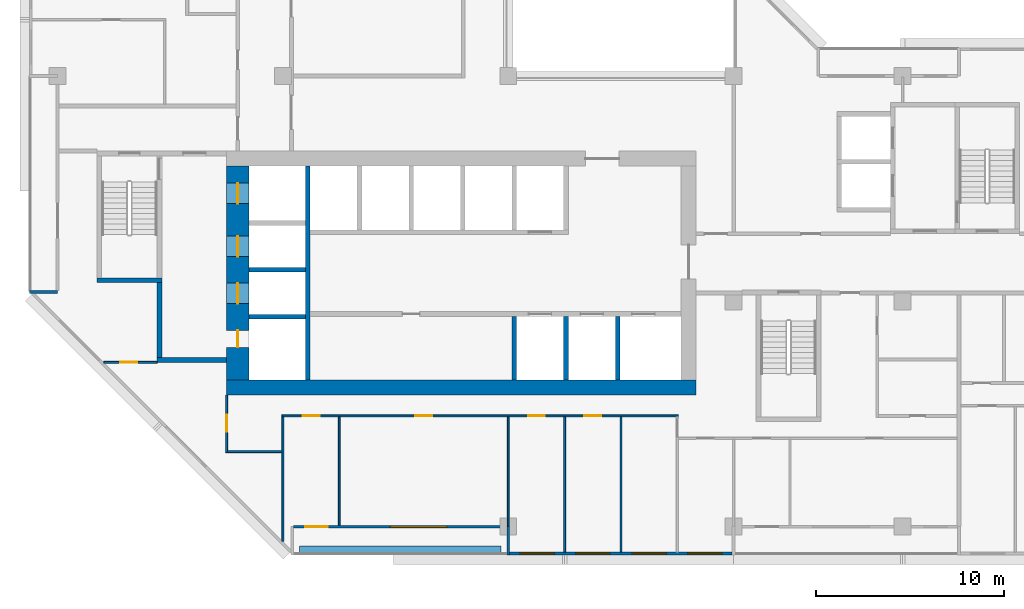
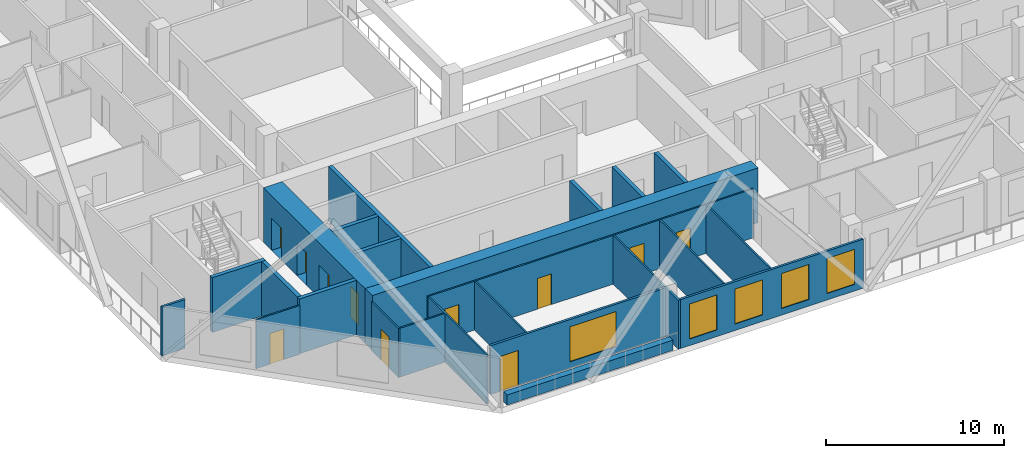
# One storey, part 4 of 15: 25 walls, 11 doors, 5 windows, 16 openings.
"""IFC4 building model written with IfcOpenShell, lengths in metres."""

import ifcopenshell
import ifcopenshell.guid

model = None  # the IFC model being written
_history = None  # IfcOwnerHistory: only IFC2X3 demands one
_inside = {}  # id of a spatial element -> (the spatial element, [elements in it])
_under = {}  # id of a project, library or spatial element -> (it, [spatial elements below it])
_declared = {}  # id of a project -> (the project, [libraries it declares])
_typed = {}  # id of a type object -> (the type object, [elements of that type])
_made_of = {}  # id of a material, layer set ... -> (it, [elements and type objects made of it])


def new_model(schema):
    """Start an empty IFC model of exactly this schema.

    Asked for "IFC4X3", IfcOpenShell would pick the latest addendum, in which some entities
    have other attributes; the version numbers below select the first issue.
    IFC2X3 requires an IfcOwnerHistory on every rooted entity: one is made here for all.
    """
    global model, _history
    if schema == "IFC4X3":
        model = ifcopenshell.file(schema_version=(4, 3, 0, 0))
    else:
        model = ifcopenshell.file(schema=schema)
    _inside.clear()
    _under.clear()
    _declared.clear()
    _typed.clear()
    _made_of.clear()
    _history = None
    if model.schema == "IFC2X3":
        org = make("IfcOrganization", Name="unknown")
        user = make(
            "IfcPersonAndOrganization",
            ThePerson=make("IfcPerson", FamilyName="unknown"),
            TheOrganization=org,
        )
        app = make(
            "IfcApplication",
            ApplicationDeveloper=org,
            Version="unknown",
            ApplicationFullName="unknown",
            ApplicationIdentifier="unknown",
        )
        _history = make(
            "IfcOwnerHistory",
            OwningUser=user,
            OwningApplication=app,
            ChangeAction="ADDED",
            CreationDate=0,
        )
    return model


def make(cls, **values):
    """One entity of the class cls with the attributes given. An attribute that is None is left unset."""
    return model.create_entity(
        cls, **{name: value for name, value in values.items() if value is not None}
    )


def rooted(cls, **values):
    """An entity with a GlobalId (a new one), such as an element, a storey or a relation."""
    return make(cls, GlobalId=ifcopenshell.guid.new(), OwnerHistory=_history, **values)


def si_unit(unit_type, name, prefix=None):
    """IfcSIUnit, for example si_unit("LENGTHUNIT", "METRE", prefix="MILLI")."""
    return make("IfcSIUnit", UnitType=unit_type, Prefix=prefix, Name=name)


def assignment(units):
    """IfcUnitAssignment: the units of a project."""
    return None if units is None else make("IfcUnitAssignment", Units=units)


def point(xyz):
    """IfcCartesianPoint."""
    return None if xyz is None else make("IfcCartesianPoint", Coordinates=xyz)


def direction(xyz):
    """IfcDirection."""
    return None if xyz is None else make("IfcDirection", DirectionRatios=xyz)


def frame(location, z_axis=None, x_axis=None):
    """IfcAxis2Placement3D, a coordinate frame: its origin and axes. An axis left out is left unset."""
    return make(
        "IfcAxis2Placement3D",
        Location=point(location),
        Axis=direction(z_axis),
        RefDirection=direction(x_axis),
    )


def frame_2d(location, x_axis=None):
    """IfcAxis2Placement2D, a coordinate frame in the plane: its origin and x axis."""
    return make(
        "IfcAxis2Placement2D", Location=point(location), RefDirection=direction(x_axis)
    )


def origin():
    """The frame at (0, 0, 0) with its axes left unset."""
    return frame((0.0, 0.0, 0.0))


def place(relative_to, where):
    """IfcLocalPlacement: puts the frame where relative to a parent placement (None: the world)."""
    return make(
        "IfcLocalPlacement", PlacementRelTo=relative_to, RelativePlacement=where
    )


def context(
    kind, dimensions, precision=None, world=None, true_north=None, identifier=None
):
    """IfcGeometricRepresentationContext, for example the 3D "Model" context."""
    return make(
        "IfcGeometricRepresentationContext",
        ContextIdentifier=identifier,
        ContextType=kind,
        CoordinateSpaceDimension=dimensions,
        Precision=precision,
        WorldCoordinateSystem=world,
        TrueNorth=true_north,
    )


def subcontext(parent, identifier, kind, view, scale=None):
    """IfcGeometricRepresentationSubContext, for example "Body" below "Model"."""
    return make(
        "IfcGeometricRepresentationSubContext",
        ContextIdentifier=identifier,
        ContextType=kind,
        ParentContext=parent,
        TargetScale=scale,
        TargetView=view,
    )


def project(units=None, contexts=None):
    """IfcProject with its units and contexts."""
    return rooted(
        "IfcProject",
        Name="project",
        RepresentationContexts=contexts,
        UnitsInContext=assignment(units),
    )


def spatial(cls, under=None, at=None, **own):
    """A site, building, storey or space (cls), placed at a placement, below another one or the project."""
    s = rooted(cls, ObjectPlacement=at, **own)
    if under is not None:
        _under.setdefault(under.id(), (under, []))[1].append(s)
    return s


def profile(cls, at=None, kind="AREA", **sizes):
    """A parametric profile (cls). Its sizes go by their IFC names, for example OverallWidth=200.0."""
    return make(cls, ProfileType=kind, Position=at, **sizes)


def rectangle(**sizes):
    """IfcRectangleProfileDef."""
    return profile("IfcRectangleProfileDef", **sizes)


def extrude(swept, where, along, depth):
    """IfcExtrudedAreaSolid: the profile swept, set in the frame where, extruded along a direction by depth."""
    return make(
        "IfcExtrudedAreaSolid",
        SweptArea=swept,
        Position=where,
        ExtrudedDirection=direction(along),
        Depth=depth,
    )


def shape(context_of_items, identifier, shape_type, items):
    """IfcShapeRepresentation: the items that make up one representation, for example the "Body"."""
    return make(
        "IfcShapeRepresentation",
        ContextOfItems=context_of_items,
        RepresentationIdentifier=identifier,
        RepresentationType=shape_type,
        Items=items,
    )


def material(Name=None, Category=None):
    """IfcMaterial."""
    return make("IfcMaterial", Name=Name, Category=Category)


def layer(
    of_material, thickness, ventilated=None, Name=None, Category=None, Priority=None
):
    """IfcMaterialLayer: one layer of a wall or slab, of a material (None: an air gap)."""
    return make(
        "IfcMaterialLayer",
        Material=of_material,
        LayerThickness=thickness,
        IsVentilated=ventilated,
        Name=Name,
        Category=Category,
        Priority=Priority,
    )


def layer_set(layers, Name=None):
    """IfcMaterialLayerSet."""
    return make("IfcMaterialLayerSet", MaterialLayers=layers, LayerSetName=Name)


def made_of(thing, what):
    """Note that an element or type object is made of a material, layer set ...; save() writes the relation."""
    if what is not None:
        _made_of.setdefault(what.id(), (what, []))[1].append(thing)
    return thing


def type_object(cls, material=None, **own):
    """A type object (cls), such as IfcWallType, which elements share."""
    return made_of(rooted(cls, **own), material)


def element(
    cls,
    number,
    at=None,
    inside=None,
    cuts=None,
    type_object=None,
    material=None,
    context=None,
    identifier="Body",
    shape_type=None,
    held_by="IfcProductDefinitionShape",
    body=None,
    shapes=None,
    **own,
):
    """One element of the class cls, such as IfcWall. Its Tag is "e" and its number.

    at: its placement. inside: the storey or other place that contains it. cuts: it is an
    opening in that element (IfcRelVoidsElement). A single representation is given by context,
    identifier, shape_type and body (its items); several are given by shapes. held_by: the class
    of the entity that holds the representations. save() writes the other relations.
    """
    e = rooted(cls, Tag="e%d" % number, ObjectPlacement=at, **own)
    if body is not None:
        shapes = [shape(context, identifier, shape_type, body)]
    if shapes is not None:
        e.Representation = make(held_by, Representations=shapes)
    if inside is not None:
        _inside.setdefault(inside.id(), (inside, []))[1].append(e)
    if cuts is not None:
        rooted(
            "IfcRelVoidsElement", RelatingBuildingElement=cuts, RelatedOpeningElement=e
        )
    if type_object is not None:
        _typed.setdefault(type_object.id(), (type_object, []))[1].append(e)
    return made_of(e, material)


def fill(opening, filler):
    """IfcRelFillsElement: the door or window that sits in an opening."""
    return rooted(
        "IfcRelFillsElement",
        RelatingOpeningElement=opening,
        RelatedBuildingElement=filler,
    )


def aggregate(whole, parts):
    """IfcRelAggregates: a whole, such as a stair, and the parts it consists of."""
    return rooted("IfcRelAggregates", RelatingObject=whole, RelatedObjects=parts)


def save(model, path):
    """Write the relations noted so far, then the file.

    IfcRelAggregates (storeys below a building ...), IfcRelContainedInSpatialStructure (elements
    in a storey), IfcRelDefinesByType, IfcRelAssociatesMaterial and IfcRelDeclares: one each for
    every whole, place, type object, material and project.
    """
    for whole, parts in _under.values():
        aggregate(whole, parts)
    for where, things in _inside.values():
        rooted(
            "IfcRelContainedInSpatialStructure",
            RelatedElements=things,
            RelatingStructure=where,
        )
    for kind, things in _typed.values():
        rooted("IfcRelDefinesByType", RelatedObjects=things, RelatingType=kind)
    for what, things in _made_of.values():
        rooted("IfcRelAssociatesMaterial", RelatedObjects=things, RelatingMaterial=what)
    for by, libraries in _declared.values():
        rooted("IfcRelDeclares", RelatingContext=by, RelatedDefinitions=libraries)
    model.write(path)


model = new_model("IFC4")

# Units and contexts
model_context = context("Model", 3, precision=1e-05, world=origin(), true_north=direction((0.0, 1.0)))
body_context = subcontext(model_context, "Body", "Model", "MODEL_VIEW")
ifc_project = project(units=[si_unit("LENGTHUNIT", "METRE"), si_unit("AREAUNIT", "SQUARE_METRE"), si_unit("VOLUMEUNIT", "CUBIC_METRE"), si_unit("PLANEANGLEUNIT", "RADIAN"), si_unit("MASSUNIT", "GRAM", prefix="KILO")], contexts=[model_context])

# Site, building, storey
site_placement = place(None, origin())
site = spatial("IfcSite", under=ifc_project, at=site_placement, CompositionType="ELEMENT")
building_placement = place(site_placement, origin())
building = spatial("IfcBuilding", under=site, at=building_placement, Name="Chenar Terraces", CompositionType="ELEMENT")
storey_placement = place(building_placement, frame((0.0, 0.0, 194.89990234375)))
storey = spatial("IfcBuildingStorey", under=building, at=storey_placement, Name="L45", CompositionType="ELEMENT", Elevation=194.89990234375)

# Wall, openings, doors
ifc_material_1 = material(Name="Concrete C60/75", Category="concrete")
ifc_layer_1 = layer(ifc_material_1, 1.199951171875)
ifc_layer_set_1 = layer_set([ifc_layer_1], Name="Concrete C60/75")
wall_type_1 = type_object("IfcWallType", Name="Core wall 1200 Concrete C60/75", PredefinedType="SHEAR", material=ifc_layer_set_1)
wall_1_placement = place(storey_placement, frame((9.60009765625, 7.800048828125, 0.0), z_axis=(0.0, 0.0, 1.0), x_axis=(0.0, 1.0, 0.0)))
wall_1 = element("IfcWall", 1, at=wall_1_placement, inside=storey, type_object=wall_type_1, Name="Core wall W L45", PredefinedType="SHEAR", context=body_context, shape_type="SweptSolid", body=[
    extrude(rectangle(XDim=11.39990234375, YDim=1.199951171875, at=frame_2d((5.699951171875, 0.0))), origin(), (0.0, 0.0, 1.0), 3.75),
])
opening_1_placement = place(wall_1_placement, frame((4.074951171875, 0.0, 0.0)))
opening_1 = element("IfcOpeningElement", 2, at=opening_1_placement, cuts=wall_1, Name="Opening DL45-LD5", PredefinedType="OPENING", context=body_context, shape_type="SweptSolid", body=[
    extrude(rectangle(XDim=1.10009765625, YDim=2.199951171875, at=frame_2d((0.550048828125, 1.10009765625))), frame((0.0, 0.60986328125, 0.0), z_axis=(0.0, -1.0, 0.0), x_axis=(1.0, 0.0, 0.0)), (0.0, 0.0, 1.0), 1.219970703125),
])
opening_2_placement = place(wall_1_placement, frame((6.574951171875, 0.0, 0.0)))
opening_2 = element("IfcOpeningElement", 3, at=opening_2_placement, cuts=wall_1, Name="Opening DL45-LD6", PredefinedType="OPENING", context=body_context, shape_type="SweptSolid", body=[
    extrude(rectangle(XDim=1.10009765625, YDim=2.199951171875, at=frame_2d((0.550048828125, 1.10009765625))), frame((0.0, 0.60986328125, 0.0), z_axis=(0.0, -1.0, 0.0), x_axis=(1.0, 0.0, 0.0)), (0.0, 0.0, 1.0), 1.219970703125),
])
opening_3_placement = place(wall_1_placement, frame((9.39990234375, 0.0, 0.0)))
opening_3 = element("IfcOpeningElement", 4, at=opening_3_placement, cuts=wall_1, Name="Opening DL45-LD7", PredefinedType="OPENING", context=body_context, shape_type="SweptSolid", body=[
    extrude(rectangle(XDim=1.10009765625, YDim=2.199951171875, at=frame_2d((0.550048828125, 1.10009765625))), frame((0.0, 0.60986328125, 0.0), z_axis=(0.0, -1.0, 0.0), x_axis=(1.0, 0.0, 0.0)), (0.0, 0.0, 1.0), 1.219970703125),
])
opening_4_placement = place(wall_1_placement, frame((1.75, 0.0, 0.0)))
opening_4 = element("IfcOpeningElement", 5, at=opening_4_placement, cuts=wall_1, Name="Opening DL45-C4", PredefinedType="OPENING", context=body_context, shape_type="SweptSolid", body=[
    extrude(rectangle(XDim=0.89990234375, YDim=2.10009765625, at=frame_2d((0.449951171875, 1.050048828125))), frame((0.0, 0.60986328125, 0.0), z_axis=(0.0, -1.0, 0.0), x_axis=(1.0, 0.0, 0.0)), (0.0, 0.0, 1.0), 1.219970703125),
])
ifc_material_2 = material(Name="Stainless steel", Category="steel")
door_type_1 = type_object("IfcDoorType", Name="Lift landing door 1100 x 2200 sliding", OperationType="DOUBLE_DOOR_SLIDING", PredefinedType="DOOR", material=ifc_material_2)
door_1_placement = place(opening_1_placement, origin())
door_1 = element("IfcDoor", 6, at=door_1_placement, inside=storey, type_object=door_type_1, Name="Landing door S1", OperationType="DOUBLE_DOOR_SLIDING", OverallHeight=2.199951171875, OverallWidth=1.10009765625, PredefinedType="DOOR", context=body_context, shape_type="SweptSolid", body=[
    extrude(rectangle(XDim=1.10009765625, YDim=2.199951171875, at=frame_2d((0.550048828125, 1.10009765625))), frame((0.0, 0.02490234375, 0.0), z_axis=(0.0, -1.0, 0.0), x_axis=(1.0, 0.0, 0.0)), (0.0, 0.0, 1.0), 0.050048828125),
])
fill(opening_1, door_1)
door_2_placement = place(opening_2_placement, origin())
door_2 = element("IfcDoor", 7, at=door_2_placement, inside=storey, type_object=door_type_1, Name="Landing door F1", OperationType="DOUBLE_DOOR_SLIDING", OverallHeight=2.199951171875, OverallWidth=1.10009765625, PredefinedType="DOOR", context=body_context, shape_type="SweptSolid", body=[
    extrude(rectangle(XDim=1.10009765625, YDim=2.199951171875, at=frame_2d((0.550048828125, 1.10009765625))), frame((0.0, 0.02490234375, 0.0), z_axis=(0.0, -1.0, 0.0), x_axis=(1.0, 0.0, 0.0)), (0.0, 0.0, 1.0), 0.050048828125),
])
fill(opening_2, door_2)
door_3_placement = place(opening_3_placement, origin())
door_3 = element("IfcDoor", 8, at=door_3_placement, inside=storey, type_object=door_type_1, Name="Landing door F2", OperationType="DOUBLE_DOOR_SLIDING", OverallHeight=2.199951171875, OverallWidth=1.10009765625, PredefinedType="DOOR", context=body_context, shape_type="SweptSolid", body=[
    extrude(rectangle(XDim=1.10009765625, YDim=2.199951171875, at=frame_2d((0.550048828125, 1.10009765625))), frame((0.0, 0.02490234375, 0.0), z_axis=(0.0, -1.0, 0.0), x_axis=(1.0, 0.0, 0.0)), (0.0, 0.0, 1.0), 0.050048828125),
])
fill(opening_3, door_3)
ifc_material_3 = material(Name="Steel-framed fire-resisting door leaf", Category="steel")
door_type_2 = type_object("IfcDoorType", Name="Riser fire door FD60 900 x 2100", OperationType="SINGLE_SWING_LEFT", PredefinedType="DOOR", material=ifc_material_3)
door_4_placement = place(opening_4_placement, frame((0.89990234375, 0.0, 0.0), z_axis=(0.0, 0.0, 1.0), x_axis=(-1.0, 0.0, 0.0)))
door_4 = element("IfcDoor", 9, at=door_4_placement, inside=storey, type_object=door_type_2, Name="Riser door DL45-C4", OperationType="SINGLE_SWING_LEFT", OverallHeight=2.10009765625, OverallWidth=0.89990234375, PredefinedType="DOOR", context=body_context, shape_type="SweptSolid", body=[
    extrude(rectangle(XDim=0.89990234375, YDim=2.10009765625, at=frame_2d((0.449951171875, 1.050048828125))), frame((0.0, 0.02490234375, 0.0), z_axis=(0.0, -1.0, 0.0), x_axis=(1.0, 0.0, 0.0)), (0.0, 0.0, 1.0), 0.050048828125),
])
fill(opening_4, door_4)

# Walls
ifc_material_4 = material(Name="Concrete C60/75", Category="concrete")
ifc_layer_2 = layer(ifc_material_4, 0.25)
ifc_layer_set_2 = layer_set([ifc_layer_2], Name="Concrete C60/75")
wall_type_2 = type_object("IfcWallType", Name="Core wall 250 Concrete C60/75", PredefinedType="SHEAR", material=ifc_layer_set_2)
wall_2_placement = place(storey_placement, frame((13.324951171875, 7.800048828125, 0.0), z_axis=(0.0, 0.0, 1.0), x_axis=(0.0, 1.0, 0.0)))
element("IfcWall", 10, at=wall_2_placement, inside=storey, type_object=wall_type_2, Name="Core wall WI L45", PredefinedType="SHEAR", context=body_context, shape_type="SweptSolid", body=[
    extrude(rectangle(XDim=11.39990234375, YDim=0.25, at=frame_2d((5.699951171875, 0.0))), origin(), (0.0, 0.0, 1.0), 3.75),
])
for number, where, z_axis, x_axis, name in (
    (11, (10.199951171875, 11.175048828125, 0.0), (0.0, 0.0, 1.0), (1.0, 0.0, 0.0), "Core wall HW0 L45"),
    (12, (10.199951171875, 13.675048828125, 0.0), (0.0, 0.0, 1.0), (1.0, 0.0, 0.0), "Core wall HW1 L45"),
):
    element("IfcWall", number, at=place(storey_placement, frame(where, z_axis=z_axis, x_axis=x_axis)), inside=storey, type_object=wall_type_2, Name=name, PredefinedType="SHEAR", context=body_context, shape_type="SweptSolid", body=[
        extrude(rectangle(XDim=3.0, YDim=0.25, at=frame_2d((1.5, 0.0))), origin(), (0.0, 0.0, 1.0), 3.75),
    ])
for number, where, z_axis, x_axis, name in (
    (13, (24.324951171875, 7.800048828125, 0.0), (0.0, 0.0, 1.0), (0.0, 1.0, 0.0), "Core wall SS3 L45"),
    (14, (27.074951171875, 7.800048828125, 0.0), (0.0, 0.0, 1.0), (0.0, 1.0, 0.0), "Core wall SS4 L45"),
    (15, (29.824951171875, 7.800048828125, 0.0), (0.0, 0.0, 1.0), (0.0, 1.0, 0.0), "Core wall SS5 L45"),
):
    element("IfcWall", number, at=place(storey_placement, frame(where, z_axis=z_axis, x_axis=x_axis)), inside=storey, type_object=wall_type_2, Name=name, PredefinedType="SHEAR", context=body_context, shape_type="SweptSolid", body=[
        extrude(rectangle(XDim=3.39990234375, YDim=0.25, at=frame_2d((1.699951171875, 0.0))), origin(), (0.0, 0.0, 1.0), 3.75),
    ])
wall_3_placement = place(storey_placement, frame((2.10009765625, 13.125, 0.0), z_axis=(0.0, 0.0, 1.0), x_axis=(1.0, 0.0, 0.0)))
element("IfcWall", 16, at=wall_3_placement, inside=storey, type_object=wall_type_2, Name="Core wall ST1_S L45", PredefinedType="SHEAR", context=body_context, shape_type="SweptSolid", body=[
    extrude(rectangle(XDim=3.449951171875, YDim=0.25, at=frame_2d((1.72509765625, 0.0))), origin(), (0.0, 0.0, 1.0), 3.75),
])
wall_4_placement = place(storey_placement, frame((5.300048828125, 8.875, 0.0), z_axis=(0.0, 0.0, 1.0), x_axis=(1.0, 0.0, 0.0)))
element("IfcWall", 17, at=wall_4_placement, inside=storey, type_object=wall_type_2, Name="Core wall FFL_S L45", PredefinedType="SHEAR", context=body_context, shape_type="SweptSolid", body=[
    extrude(rectangle(XDim=3.699951171875, YDim=0.25, at=frame_2d((1.85009765625, 0.0))), origin(), (0.0, 0.0, 1.0), 3.75),
])
wall_5_placement = place(storey_placement, frame((5.425048828125, 9.0, 0.0), z_axis=(0.0, 0.0, 1.0), x_axis=(0.0, 1.0, 0.0)))
element("IfcWall", 18, at=wall_5_placement, inside=storey, type_object=wall_type_2, Name="Core wall FFL_W L45", PredefinedType="SHEAR", context=body_context, shape_type="SweptSolid", body=[
    extrude(rectangle(XDim=4.0, YDim=0.25, at=frame_2d((2.0, 0.0))), origin(), (0.0, 0.0, 1.0), 3.75),
])
ifc_material_5 = material(Name="Concrete C60/75", Category="concrete")
ifc_layer_3 = layer(ifc_material_5, 0.800048828125)
ifc_layer_set_3 = layer_set([ifc_layer_3], Name="Concrete C60/75")
wall_type_3 = type_object("IfcWallType", Name="Core wall 800 Concrete C60/75", PredefinedType="SHEAR", material=ifc_layer_set_3)
wall_6_placement = place(storey_placement, frame((9.0, 7.39990234375, 0.0), z_axis=(0.0, 0.0, 1.0), x_axis=(1.0, 0.0, 0.0)))
element("IfcWall", 19, at=wall_6_placement, inside=storey, type_object=wall_type_3, Name="Core wall S L45", PredefinedType="SHEAR", context=body_context, shape_type="SweptSolid", body=[
    extrude(rectangle(XDim=25.0, YDim=0.800048828125, at=frame_2d((12.5, 0.0))), origin(), (0.0, 0.0, 1.0), 3.75),
])

# Wall, openings, windows
ifc_material_6 = material(Name="Aluminium framed glazing", Category="aluminium")
ifc_layer_4 = layer(ifc_material_6, 0.14990234375)
ifc_layer_set_4 = layer_set([ifc_layer_4], Name="Aluminium framed glazing")
wall_type_4 = type_object("IfcWallType", Name="Glazed flush facade wall 150", PredefinedType="SOLIDWALL", material=ifc_layer_set_4)
wall_7_placement = place(storey_placement, frame((24.074951171875, -1.425048828125, 0.0), z_axis=(0.0, 0.0, 1.0), x_axis=(1.0, 0.0, 0.0)))
wall_7 = element("IfcWall", 20, at=wall_7_placement, inside=storey, type_object=wall_type_4, Name="Glazed flush facade wall", PredefinedType="SOLIDWALL", context=body_context, shape_type="SweptSolid", body=[
    extrude(rectangle(XDim=11.85009765625, YDim=0.14990234375, at=frame_2d((5.925048828125, 0.0))), origin(), (0.0, 0.0, 1.0), 3.35009765625),
])
opening_5_placement = place(wall_7_placement, frame((0.5625, 0.0, 0.449951171875)))
opening_5 = element("IfcOpeningElement", 21, at=opening_5_placement, cuts=wall_7, Name="Opening W180x240", PredefinedType="OPENING", context=body_context, shape_type="SweptSolid", body=[
    extrude(rectangle(XDim=1.800048828125, YDim=2.39990234375, at=frame_2d((0.89990234375, 1.199951171875))), frame((0.0, 0.0849609375, 0.0), z_axis=(0.0, -1.0, 0.0), x_axis=(1.0, 0.0, 0.0)), (0.0, 0.0, 1.0), 0.169921875),
])
opening_6_placement = place(wall_7_placement, frame((3.52490234375, 0.0, 0.449951171875)))
opening_6 = element("IfcOpeningElement", 22, at=opening_6_placement, cuts=wall_7, Name="Opening W180x240", PredefinedType="OPENING", context=body_context, shape_type="SweptSolid", body=[
    extrude(rectangle(XDim=1.800048828125, YDim=2.39990234375, at=frame_2d((0.89990234375, 1.199951171875))), frame((0.0, 0.0849609375, 0.0), z_axis=(0.0, -1.0, 0.0), x_axis=(1.0, 0.0, 0.0)), (0.0, 0.0, 1.0), 0.169921875),
])
opening_7_placement = place(wall_7_placement, frame((6.52490234375, 0.0, 0.449951171875)))
opening_7 = element("IfcOpeningElement", 23, at=opening_7_placement, cuts=wall_7, Name="Opening W180x240", PredefinedType="OPENING", context=body_context, shape_type="SweptSolid", body=[
    extrude(rectangle(XDim=1.800048828125, YDim=2.39990234375, at=frame_2d((0.89990234375, 1.199951171875))), frame((0.0, 0.0849609375, 0.0), z_axis=(0.0, -1.0, 0.0), x_axis=(1.0, 0.0, 0.0)), (0.0, 0.0, 1.0), 0.169921875),
])
opening_8_placement = place(wall_7_placement, frame((9.487548828125, 0.0, 0.449951171875)))
opening_8 = element("IfcOpeningElement", 24, at=opening_8_placement, cuts=wall_7, Name="Opening W180x240", PredefinedType="OPENING", context=body_context, shape_type="SweptSolid", body=[
    extrude(rectangle(XDim=1.800048828125, YDim=2.39990234375, at=frame_2d((0.89990234375, 1.199951171875))), frame((0.0, 0.0849609375, 0.0), z_axis=(0.0, -1.0, 0.0), x_axis=(1.0, 0.0, 0.0)), (0.0, 0.0, 1.0), 0.169921875),
])
ifc_material_7 = material(Name="Low emissivity double glazing, aluminium frame", Category="aluminium")
window_type_1 = type_object("IfcWindowType", Name="Fixed light 1800 x 2400", PartitioningType="SINGLE_PANEL", PredefinedType="WINDOW", material=ifc_material_7)
window_1_placement = place(opening_5_placement, origin())
window_1 = element("IfcWindow", 25, at=window_1_placement, inside=storey, type_object=window_type_1, Name="Window", OverallHeight=2.39990234375, OverallWidth=1.800048828125, PartitioningType="SINGLE_PANEL", PredefinedType="WINDOW", context=body_context, shape_type="SweptSolid", body=[
    extrude(rectangle(XDim=1.800048828125, YDim=2.39990234375, at=frame_2d((0.89990234375, 1.199951171875))), frame((0.0, 0.030029296875, 0.0), z_axis=(0.0, -1.0, 0.0), x_axis=(1.0, 0.0, 0.0)), (0.0, 0.0, 1.0), 0.06005859375),
])
fill(opening_5, window_1)
window_2_placement = place(opening_6_placement, origin())
window_2 = element("IfcWindow", 26, at=window_2_placement, inside=storey, type_object=window_type_1, Name="Window", OverallHeight=2.39990234375, OverallWidth=1.800048828125, PartitioningType="SINGLE_PANEL", PredefinedType="WINDOW", context=body_context, shape_type="SweptSolid", body=[
    extrude(rectangle(XDim=1.800048828125, YDim=2.39990234375, at=frame_2d((0.89990234375, 1.199951171875))), frame((0.0, 0.030029296875, 0.0), z_axis=(0.0, -1.0, 0.0), x_axis=(1.0, 0.0, 0.0)), (0.0, 0.0, 1.0), 0.06005859375),
])
fill(opening_6, window_2)
window_3_placement = place(opening_7_placement, origin())
window_3 = element("IfcWindow", 27, at=window_3_placement, inside=storey, type_object=window_type_1, Name="Window", OverallHeight=2.39990234375, OverallWidth=1.800048828125, PartitioningType="SINGLE_PANEL", PredefinedType="WINDOW", context=body_context, shape_type="SweptSolid", body=[
    extrude(rectangle(XDim=1.800048828125, YDim=2.39990234375, at=frame_2d((0.89990234375, 1.199951171875))), frame((0.0, 0.030029296875, 0.0), z_axis=(0.0, -1.0, 0.0), x_axis=(1.0, 0.0, 0.0)), (0.0, 0.0, 1.0), 0.06005859375),
])
fill(opening_7, window_3)
window_4_placement = place(opening_8_placement, origin())
window_4 = element("IfcWindow", 28, at=window_4_placement, inside=storey, type_object=window_type_1, Name="Window", OverallHeight=2.39990234375, OverallWidth=1.800048828125, PartitioningType="SINGLE_PANEL", PredefinedType="WINDOW", context=body_context, shape_type="SweptSolid", body=[
    extrude(rectangle(XDim=1.800048828125, YDim=2.39990234375, at=frame_2d((0.89990234375, 1.199951171875))), frame((0.0, 0.030029296875, 0.0), z_axis=(0.0, -1.0, 0.0), x_axis=(1.0, 0.0, 0.0)), (0.0, 0.0, 1.0), 0.06005859375),
])
fill(opening_8, window_4)

# Wall, openings, window, door
ifc_material_8 = material(Name="Aluminium framed glazing", Category="aluminium")
ifc_layer_5 = layer(ifc_material_8, 0.14990234375)
ifc_layer_set_5 = layer_set([ifc_layer_5], Name="Aluminium framed glazing")
wall_type_5 = type_object("IfcWallType", Name="Glazed loggia back wall 150", PredefinedType="SOLIDWALL", material=ifc_layer_set_5)
wall_8_placement = place(storey_placement, frame((12.574951171875, 0.0, 0.0), z_axis=(0.0, 0.0, 1.0), x_axis=(1.0, 0.0, 0.0)))
wall_8 = element("IfcWall", 29, at=wall_8_placement, inside=storey, type_object=wall_type_5, Name="Glazed loggia back wall", PredefinedType="SOLIDWALL", context=body_context, shape_type="SweptSolid", body=[
    extrude(rectangle(XDim=11.35009765625, YDim=0.14990234375, at=frame_2d((5.675048828125, 0.0))), origin(), (0.0, 0.0, 1.0), 3.35009765625),
])
opening_9_placement = place(wall_8_placement, frame((0.612548828125, 0.0, 0.0)))
opening_9 = element("IfcOpeningElement", 30, at=opening_9_placement, cuts=wall_8, Name="Opening DL45-G5", PredefinedType="OPENING", context=body_context, shape_type="SweptSolid", body=[
    extrude(rectangle(XDim=1.199951171875, YDim=2.39990234375, at=frame_2d((0.60009765625, 1.199951171875))), frame((0.0, 0.0849609375, 0.0), z_axis=(0.0, -1.0, 0.0), x_axis=(1.0, 0.0, 0.0)), (0.0, 0.0, 1.0), 0.169921875),
])
opening_10_placement = place(wall_8_placement, frame((5.14990234375, 0.0, 0.449951171875)))
opening_10 = element("IfcOpeningElement", 31, at=opening_10_placement, cuts=wall_8, Name="Opening W300x240", PredefinedType="OPENING", context=body_context, shape_type="SweptSolid", body=[
    extrude(rectangle(XDim=3.0, YDim=2.39990234375, at=frame_2d((1.5, 1.199951171875))), frame((0.0, 0.0849609375, 0.0), z_axis=(0.0, -1.0, 0.0), x_axis=(1.0, 0.0, 0.0)), (0.0, 0.0, 1.0), 0.169921875),
])
ifc_material_9 = material(Name="Low emissivity double glazing, aluminium frame", Category="aluminium")
window_type_2 = type_object("IfcWindowType", Name="Fixed light 3000 x 2400", PartitioningType="SINGLE_PANEL", PredefinedType="WINDOW", material=ifc_material_9)
window_5_placement = place(opening_10_placement, origin())
window_5 = element("IfcWindow", 32, at=window_5_placement, inside=storey, type_object=window_type_2, Name="Window", OverallHeight=2.39990234375, OverallWidth=3.0, PartitioningType="SINGLE_PANEL", PredefinedType="WINDOW", context=body_context, shape_type="SweptSolid", body=[
    extrude(rectangle(XDim=3.0, YDim=2.39990234375, at=frame_2d((1.5, 1.199951171875))), frame((0.0, 0.030029296875, 0.0), z_axis=(0.0, -1.0, 0.0), x_axis=(1.0, 0.0, 0.0)), (0.0, 0.0, 1.0), 0.06005859375),
])
fill(opening_10, window_5)
ifc_material_10 = material(Name="Low emissivity double glazing, aluminium frame", Category="aluminium")
door_type_3 = type_object("IfcDoorType", Name="Loggia glazed double door 1200 x 2400", OperationType="DOUBLE_DOOR_SINGLE_SWING", PredefinedType="DOOR", material=ifc_material_10)
door_5_placement = place(opening_9_placement, frame((1.199951171875, 0.0, 0.0), z_axis=(0.0, 0.0, 1.0), x_axis=(-1.0, 0.0, 0.0)))
door_5 = element("IfcDoor", 33, at=door_5_placement, inside=storey, type_object=door_type_3, Name="Loggia glazed door", OperationType="DOUBLE_DOOR_SINGLE_SWING", OverallHeight=2.39990234375, OverallWidth=1.199951171875, PredefinedType="DOOR", context=body_context, shape_type="SweptSolid", body=[
    extrude(rectangle(XDim=1.199951171875, YDim=2.39990234375, at=frame_2d((0.60009765625, 1.199951171875))), frame((0.0, 0.02490234375, 0.0), z_axis=(0.0, -1.0, 0.0), x_axis=(1.0, 0.0, 0.0)), (0.0, 0.0, 1.0), 0.050048828125),
])
fill(opening_9, door_5)

# Wall, opening, door
ifc_material_11 = material(Name="Gypsum board on steel studs", Category="steel")
ifc_layer_6 = layer(ifc_material_11, 0.10009765625)
ifc_layer_set_6 = layer_set([ifc_layer_6], Name="Gypsum board on steel studs")
wall_type_6 = type_object("IfcWallType", Name="Gypsum partition 100", PredefinedType="PARTITIONING", material=ifc_layer_set_6)
wall_9_placement = place(storey_placement, frame((2.4609375, 8.75, 0.0), z_axis=(0.0, 0.0, 1.0), x_axis=(1.0, 0.0, 0.0)))
wall_9 = element("IfcWall", 34, at=wall_9_placement, inside=storey, type_object=wall_type_6, Name="Partition L45-012", PredefinedType="PARTITIONING", context=body_context, shape_type="SweptSolid", body=[
    extrude(rectangle(XDim=2.839111328125, YDim=0.10009765625, at=frame_2d((1.41943359375, 0.0))), origin(), (0.0, 0.0, 1.0), 3.35009765625),
])
opening_11_placement = place(wall_9_placement, frame((0.888916015625, 0.0, 0.0)))
opening_11 = element("IfcOpeningElement", 35, at=opening_11_placement, cuts=wall_9, Name="Opening DL45-51", PredefinedType="OPENING", context=body_context, shape_type="SweptSolid", body=[
    extrude(rectangle(XDim=0.89990234375, YDim=2.10009765625, at=frame_2d((0.449951171875, 1.050048828125))), frame((0.0, 0.06005859375, 0.0), z_axis=(0.0, -1.0, 0.0), x_axis=(1.0, 0.0, 0.0)), (0.0, 0.0, 1.0), 0.1201171875),
])
ifc_material_12 = material(Name="Veneered timber door leaf", Category="wood")
door_type_4 = type_object("IfcDoorType", Name="Door 900 x 2100", OperationType="SINGLE_SWING_LEFT", PredefinedType="DOOR", material=ifc_material_12)
door_6_placement = place(opening_11_placement, frame((0.89990234375, 0.0, 0.0), z_axis=(0.0, 0.0, 1.0), x_axis=(-1.0, 0.0, 0.0)))
door_6 = element("IfcDoor", 36, at=door_6_placement, inside=storey, type_object=door_type_4, Name="Door DL45-51", OperationType="SINGLE_SWING_RIGHT", OverallHeight=2.10009765625, OverallWidth=0.89990234375, PredefinedType="DOOR", context=body_context, shape_type="SweptSolid", body=[
    extrude(rectangle(XDim=0.89990234375, YDim=2.10009765625, at=frame_2d((0.449951171875, 1.050048828125))), frame((0.0, 0.02490234375, 0.0), z_axis=(0.0, -1.0, 0.0), x_axis=(1.0, 0.0, 0.0)), (0.0, 0.0, 1.0), 0.050048828125),
])
fill(opening_11, door_6)

wall_10_placement = place(storey_placement, frame((9.0, 3.949951171875, 0.0), z_axis=(0.0, 0.0, 1.0), x_axis=(0.0, 1.0, 0.0)))
wall_10 = element("IfcWall", 37, at=wall_10_placement, inside=storey, type_object=wall_type_6, Name="Partition L45-031", PredefinedType="PARTITIONING", context=body_context, shape_type="SweptSolid", body=[
    extrude(rectangle(XDim=3.050048828125, YDim=0.10009765625, at=frame_2d((1.52490234375, 0.0))), origin(), (0.0, 0.0, 1.0), 3.35009765625),
])
opening_12_placement = place(wall_10_placement, frame((1.10009765625, 0.0, 0.0)))
opening_12 = element("IfcOpeningElement", 38, at=opening_12_placement, cuts=wall_10, Name="Opening DL45-50", PredefinedType="OPENING", context=body_context, shape_type="SweptSolid", body=[
    extrude(rectangle(XDim=0.89990234375, YDim=2.10009765625, at=frame_2d((0.449951171875, 1.050048828125))), frame((0.0, 0.06005859375, 0.0), z_axis=(0.0, -1.0, 0.0), x_axis=(1.0, 0.0, 0.0)), (0.0, 0.0, 1.0), 0.1201171875),
])
door_7_placement = place(opening_12_placement, origin())
door_7 = element("IfcDoor", 39, at=door_7_placement, inside=storey, type_object=door_type_4, Name="Door DL45-50", OperationType="SINGLE_SWING_LEFT", OverallHeight=2.10009765625, OverallWidth=0.89990234375, PredefinedType="DOOR", context=body_context, shape_type="SweptSolid", body=[
    extrude(rectangle(XDim=0.89990234375, YDim=2.10009765625, at=frame_2d((0.449951171875, 1.050048828125))), frame((0.0, 0.02490234375, 0.0), z_axis=(0.0, -1.0, 0.0), x_axis=(1.0, 0.0, 0.0)), (0.0, 0.0, 1.0), 0.050048828125),
])
fill(opening_12, door_7)

# Wall
wall_11_placement = place(storey_placement, frame((9.050048828125, 4.0, 0.0), z_axis=(0.0, 0.0, 1.0), x_axis=(1.0, 0.0, 0.0)))
element("IfcWall", 40, at=wall_11_placement, inside=storey, type_object=wall_type_6, Name="Partition L45-032", PredefinedType="PARTITIONING", context=body_context, shape_type="SweptSolid", body=[
    extrude(rectangle(XDim=2.89990234375, YDim=0.10009765625, at=frame_2d((1.449951171875, 0.0))), origin(), (0.0, 0.0, 1.0), 3.35009765625),
])

# Wall, openings, doors
wall_12_placement = place(storey_placement, frame((11.949951171875, 5.89990234375, 0.0), z_axis=(0.0, 0.0, 1.0), x_axis=(1.0, 0.0, 0.0)))
wall_12 = element("IfcWall", 41, at=wall_12_placement, inside=storey, type_object=wall_type_6, Name="Partition L45-034", PredefinedType="PARTITIONING", context=body_context, shape_type="SweptSolid", body=[
    extrude(rectangle(XDim=21.10009765625, YDim=0.10009765625, at=frame_2d((10.550048828125, 0.0))), origin(), (0.0, 0.0, 1.0), 3.35009765625),
])
opening_13_placement = place(wall_12_placement, frame((1.10009765625, 0.0, 0.0)))
opening_13 = element("IfcOpeningElement", 42, at=opening_13_placement, cuts=wall_12, Name="Opening DL45-44", PredefinedType="OPENING", context=body_context, shape_type="SweptSolid", body=[
    extrude(rectangle(XDim=0.89990234375, YDim=2.10009765625, at=frame_2d((0.449951171875, 1.050048828125))), frame((0.0, 0.06005859375, 0.0), z_axis=(0.0, -1.0, 0.0), x_axis=(1.0, 0.0, 0.0)), (0.0, 0.0, 1.0), 0.1201171875),
])
opening_14_placement = place(wall_12_placement, frame((13.10009765625, 0.0, 0.0)))
opening_14 = element("IfcOpeningElement", 43, at=opening_14_placement, cuts=wall_12, Name="Opening DL45-45", PredefinedType="OPENING", context=body_context, shape_type="SweptSolid", body=[
    extrude(rectangle(XDim=0.89990234375, YDim=2.10009765625, at=frame_2d((0.449951171875, 1.050048828125))), frame((0.0, 0.06005859375, 0.0), z_axis=(0.0, -1.0, 0.0), x_axis=(1.0, 0.0, 0.0)), (0.0, 0.0, 1.0), 0.1201171875),
])
opening_15_placement = place(wall_12_placement, frame((16.10009765625, 0.0, 0.0)))
opening_15 = element("IfcOpeningElement", 44, at=opening_15_placement, cuts=wall_12, Name="Opening DL45-46", PredefinedType="OPENING", context=body_context, shape_type="SweptSolid", body=[
    extrude(rectangle(XDim=0.89990234375, YDim=2.10009765625, at=frame_2d((0.449951171875, 1.050048828125))), frame((0.0, 0.06005859375, 0.0), z_axis=(0.0, -1.0, 0.0), x_axis=(1.0, 0.0, 0.0)), (0.0, 0.0, 1.0), 0.1201171875),
])
opening_16_placement = place(wall_12_placement, frame((7.10009765625, 0.0, 0.0)))
opening_16 = element("IfcOpeningElement", 45, at=opening_16_placement, cuts=wall_12, Name="Opening DL45-54", PredefinedType="OPENING", context=body_context, shape_type="SweptSolid", body=[
    extrude(rectangle(XDim=0.89990234375, YDim=2.10009765625, at=frame_2d((0.449951171875, 1.050048828125))), frame((0.0, 0.06005859375, 0.0), z_axis=(0.0, -1.0, 0.0), x_axis=(1.0, 0.0, 0.0)), (0.0, 0.0, 1.0), 0.1201171875),
])
door_8_placement = place(opening_13_placement, frame((0.89990234375, 0.0, 0.0), z_axis=(0.0, 0.0, 1.0), x_axis=(-1.0, 0.0, 0.0)))
door_8 = element("IfcDoor", 46, at=door_8_placement, inside=storey, type_object=door_type_4, Name="Door DL45-44", OperationType="SINGLE_SWING_RIGHT", OverallHeight=2.10009765625, OverallWidth=0.89990234375, PredefinedType="DOOR", context=body_context, shape_type="SweptSolid", body=[
    extrude(rectangle(XDim=0.89990234375, YDim=2.10009765625, at=frame_2d((0.449951171875, 1.050048828125))), frame((0.0, 0.02490234375, 0.0), z_axis=(0.0, -1.0, 0.0), x_axis=(1.0, 0.0, 0.0)), (0.0, 0.0, 1.0), 0.050048828125),
])
fill(opening_13, door_8)
door_9_placement = place(opening_14_placement, frame((0.89990234375, 0.0, 0.0), z_axis=(0.0, 0.0, 1.0), x_axis=(-1.0, 0.0, 0.0)))
door_9 = element("IfcDoor", 47, at=door_9_placement, inside=storey, type_object=door_type_4, Name="Door DL45-45", OperationType="SINGLE_SWING_RIGHT", OverallHeight=2.10009765625, OverallWidth=0.89990234375, PredefinedType="DOOR", context=body_context, shape_type="SweptSolid", body=[
    extrude(rectangle(XDim=0.89990234375, YDim=2.10009765625, at=frame_2d((0.449951171875, 1.050048828125))), frame((0.0, 0.02490234375, 0.0), z_axis=(0.0, -1.0, 0.0), x_axis=(1.0, 0.0, 0.0)), (0.0, 0.0, 1.0), 0.050048828125),
])
fill(opening_14, door_9)
door_10_placement = place(opening_15_placement, frame((0.89990234375, 0.0, 0.0), z_axis=(0.0, 0.0, 1.0), x_axis=(-1.0, 0.0, 0.0)))
door_10 = element("IfcDoor", 48, at=door_10_placement, inside=storey, type_object=door_type_4, Name="Door DL45-46", OperationType="SINGLE_SWING_RIGHT", OverallHeight=2.10009765625, OverallWidth=0.89990234375, PredefinedType="DOOR", context=body_context, shape_type="SweptSolid", body=[
    extrude(rectangle(XDim=0.89990234375, YDim=2.10009765625, at=frame_2d((0.449951171875, 1.050048828125))), frame((0.0, 0.02490234375, 0.0), z_axis=(0.0, -1.0, 0.0), x_axis=(1.0, 0.0, 0.0)), (0.0, 0.0, 1.0), 0.050048828125),
])
fill(opening_15, door_10)
door_11_placement = place(opening_16_placement, frame((0.89990234375, 0.0, 0.0), z_axis=(0.0, 0.0, 1.0), x_axis=(-1.0, 0.0, 0.0)))
door_11 = element("IfcDoor", 49, at=door_11_placement, inside=storey, type_object=door_type_4, Name="Door DL45-54", OperationType="SINGLE_SWING_RIGHT", OverallHeight=2.10009765625, OverallWidth=0.89990234375, PredefinedType="DOOR", context=body_context, shape_type="SweptSolid", body=[
    extrude(rectangle(XDim=0.89990234375, YDim=2.10009765625, at=frame_2d((0.449951171875, 1.050048828125))), frame((0.0, 0.02490234375, 0.0), z_axis=(0.0, -1.0, 0.0), x_axis=(1.0, 0.0, 0.0)), (0.0, 0.0, 1.0), 0.050048828125),
])
fill(opening_16, door_11)

# Walls
wall_13_placement = place(storey_placement, frame((12.0, -0.787841796875, 0.0), z_axis=(0.0, 0.0, 1.0), x_axis=(0.0, 1.0, 0.0)))
element("IfcWall", 50, at=wall_13_placement, inside=storey, type_object=wall_type_6, Name="Partition L45-035", PredefinedType="PARTITIONING", context=body_context, shape_type="SweptSolid", body=[
    extrude(rectangle(XDim=6.637939453125, YDim=0.10009765625, at=frame_2d((3.31884765625, 0.0))), origin(), (0.0, 0.0, 1.0), 3.35009765625),
])
wall_14_placement = place(storey_placement, frame((15.0, 0.073974609375, 0.0), z_axis=(0.0, 0.0, 1.0), x_axis=(0.0, 1.0, 0.0)))
element("IfcWall", 51, at=wall_14_placement, inside=storey, type_object=wall_type_6, Name="Partition L45-046", PredefinedType="PARTITIONING", context=body_context, shape_type="SweptSolid", body=[
    extrude(rectangle(XDim=5.776123046875, YDim=0.10009765625, at=frame_2d((2.88818359375, 0.0))), origin(), (0.0, 0.0, 1.0), 3.35009765625),
])
wall_15_placement = place(storey_placement, frame((24.0, 0.0, 0.0), z_axis=(0.0, 0.0, 1.0), x_axis=(0.0, 1.0, 0.0)))
element("IfcWall", 52, at=wall_15_placement, inside=storey, type_object=wall_type_6, Name="Partition L45-059", PredefinedType="PARTITIONING", context=body_context, shape_type="SweptSolid", body=[
    extrude(rectangle(XDim=5.85009765625, YDim=0.10009765625, at=frame_2d((2.925048828125, 0.0))), origin(), (0.0, 0.0, 1.0), 3.35009765625),
])
for number, where, z_axis, x_axis, name in (
    (53, (27.0, -1.35107421875, 0.0), (0.0, 0.0, 1.0), (0.0, 1.0, 0.0), "Partition L45-060"),
    (54, (30.0, -1.35107421875, 0.0), (0.0, 0.0, 1.0), (0.0, 1.0, 0.0), "Partition L45-061"),
):
    element("IfcWall", number, at=place(storey_placement, frame(where, z_axis=z_axis, x_axis=x_axis)), inside=storey, type_object=wall_type_6, Name=name, PredefinedType="PARTITIONING", context=body_context, shape_type="SweptSolid", body=[
        extrude(rectangle(XDim=7.201171875, YDim=0.10009765625, at=frame_2d((3.6005859375, 0.0))), origin(), (0.0, 0.0, 1.0), 3.35009765625),
    ])
ifc_material_13 = material(Name="Terracotta cladding on insulated backing", Category="masonry")
ifc_layer_7 = layer(ifc_material_13, 0.14990234375)
ifc_layer_set_7 = layer_set([ifc_layer_7], Name="Terracotta cladding on insulated backing")
wall_type_7 = type_object("IfcWallType", Name="Loggia return wall 150", PredefinedType="SOLIDWALL", material=ifc_layer_set_7)
for number, where, z_axis, x_axis, name in (
    (55, (-1.5, 12.5, 0.0), (0.0, 0.0, 1.0), (1.0, 0.0, 0.0), "Loggia return wall"),
    (56, (24.0, -1.5, 0.0), (0.0, 0.0, 1.0), (0.0, 1.0, 0.0), "Loggia return wall"),
):
    element("IfcWall", number, at=place(storey_placement, frame(where, z_axis=z_axis, x_axis=x_axis)), inside=storey, type_object=wall_type_7, Name=name, PredefinedType="SOLIDWALL", context=body_context, shape_type="SweptSolid", body=[
        extrude(rectangle(XDim=1.5, YDim=0.14990234375, at=frame_2d((0.75, 0.0))), origin(), (0.0, 0.0, 1.0), 3.35009765625),
    ])
ifc_material_14 = material(Name="GRP planter trough")
ifc_layer_8 = layer(ifc_material_14, 0.39990234375)
ifc_layer_set_8 = layer_set([ifc_layer_8], Name="GRP planter trough")
wall_type_8 = type_object("IfcWallType", Name="Vertical greenery planter 400", PredefinedType="SOLIDWALL", material=ifc_layer_set_8)
wall_16_placement = place(storey_placement, frame((12.875, -1.22900390625, 0.0), z_axis=(0.0, 0.0, 1.0), x_axis=(1.0, 0.0, 0.0)))
element("IfcWall", 57, at=wall_16_placement, inside=storey, type_object=wall_type_8, Name="Vertical greenery planter", PredefinedType="SOLIDWALL", context=body_context, shape_type="SweptSolid", body=[
    extrude(rectangle(XDim=10.75, YDim=0.39990234375, at=frame_2d((5.375, 0.0))), origin(), (0.0, 0.0, 1.0), 0.7001953125),
])

save(model, "model.ifc")
